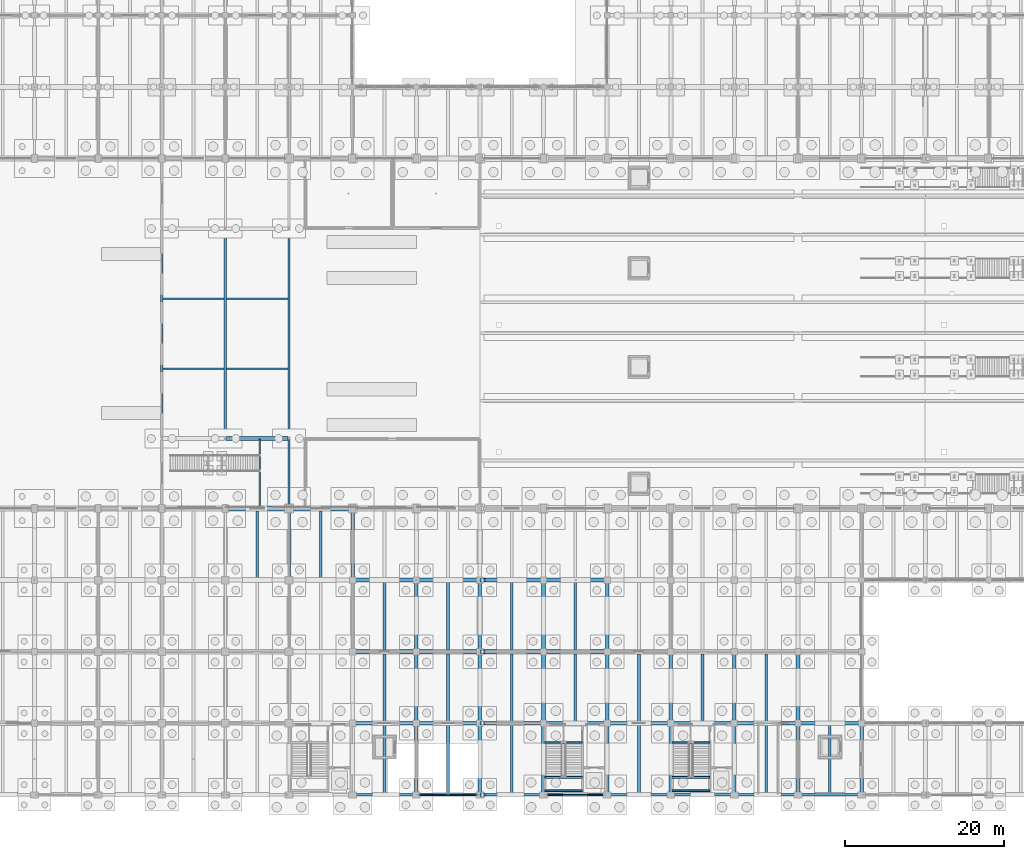
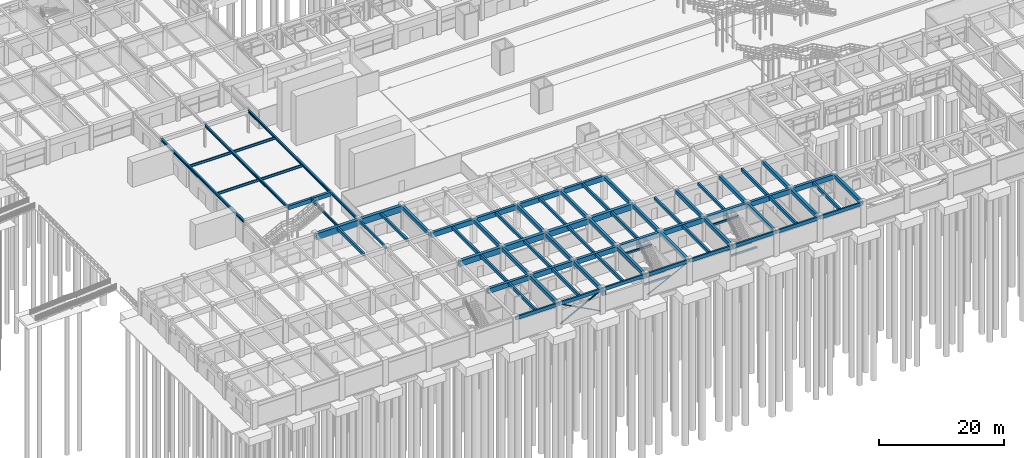
# One storey, part 32 of 147: 86 beams, 4 members.
"""IFC4 building model written with IfcOpenShell, lengths in metres."""

from ifc_helpers import new_model, si_unit, direction, frame, origin, origin_2d, place, context, subcontext, project, spatial, rectangle, hollow_rectangle, hollow_circle, i_section, extrude, material, material_profile, profile_set, type_object, element, save


model = new_model("IFC4")

# Units and contexts
model_context = context("Model", 3, precision=1e-05, world=origin(), true_north=direction((0.0, 1.0)))
body_context = subcontext(model_context, "Body", "Model", "MODEL_VIEW")
ifc_project = project(units=[si_unit("LENGTHUNIT", "METRE"), si_unit("AREAUNIT", "SQUARE_METRE"), si_unit("VOLUMEUNIT", "CUBIC_METRE"), si_unit("PLANEANGLEUNIT", "RADIAN"), si_unit("MASSUNIT", "GRAM", prefix="KILO")], contexts=[model_context])

# Site, building, storey
site_placement = place(None, origin())
site = spatial("IfcSite", under=ifc_project, at=site_placement, CompositionType="ELEMENT")
building_placement = place(site_placement, origin())
building = spatial("IfcBuilding", under=site, at=building_placement, Name="Varnabhumi Central Station", CompositionType="ELEMENT")
storey_placement = place(building_placement, origin())
storey = spatial("IfcBuildingStorey", under=building, at=storey_placement, Name="L00", CompositionType="ELEMENT", Elevation=0.0)

# Beams
ifc_material_1 = material(Name="Structural steel E350", Category="steel")
ifc_material_profile_1 = material_profile(ifc_material_1, i_section(OverallWidth=0.300048828125, OverallDepth=0.5, WebThickness=0.014404296875, FlangeThickness=0.028076171875, FilletRadius=0.027099609375, at=origin_2d()), Name="Structural steel E350", Category="steel")
ifc_profile_set_1 = profile_set([ifc_material_profile_1], Name="Structural steel E350")
beam_type_1 = type_object("IfcBeamType", Name="BM-GALL-WPB500", PredefinedType="BEAM", material=ifc_profile_set_1)
for number, where, z_axis, x_axis, name in (
    (1, (24.0, 44.85009765625, 4.330078125), (0.0, 1.0, 0.0), (-1.0, 0.0, 0.0), "Gallery Girder 4:44-71"),
    (2, (32.0, 44.85009765625, 4.330078125), (0.0, 1.0, 0.0), (-1.0, 0.0, 0.0), "Gallery Girder 5:44-71"),
    (3, (40.0, 44.85009765625, 4.330078125), (0.0, 1.0, 0.0), (-1.0, 0.0, 0.0), "Gallery Girder 6:44-71"),
):
    element("IfcBeam", number, at=place(storey_placement, frame(where, z_axis=z_axis, x_axis=x_axis)), inside=storey, type_object=beam_type_1, Name=name, PredefinedType="BEAM", context=body_context, shape_type="SweptSolid", body=[
        extrude(i_section(OverallWidth=0.300048828125, OverallDepth=0.5, WebThickness=0.014404296875, FlangeThickness=0.028076171875, FilletRadius=0.027099609375, at=origin_2d()), origin(), (0.0, 0.0, 1.0), 26.2998046875),
    ])
ifc_material_profile_2 = material_profile(ifc_material_1, i_section(OverallWidth=0.179931640625, OverallDepth=0.5, WebThickness=0.01025390625, FlangeThickness=0.01708984375, FilletRadius=0.01708984375, at=origin_2d()), Name="Structural steel E350", Category="steel")
ifc_profile_set_2 = profile_set([ifc_material_profile_2], Name="Structural steel E350")
beam_type_2 = type_object("IfcBeamType", Name="BM-JST-ISMB500", PredefinedType="JOIST", material=ifc_profile_set_2)
for number, where, z_axis, x_axis, name in (
    (4, (24.155029296875, 53.60009765625, 4.330078125), (1.0, 0.0, 0.0), (0.0, 1.0, 0.0), "Gallery Tie Beam G:4-5"),
    (5, (32.155029296875, 53.60009765625, 4.330078125), (1.0, 0.0, 0.0), (0.0, 1.0, 0.0), "Gallery Tie Beam G:5-6"),
    (6, (24.155029296875, 62.39990234375, 4.330078125), (1.0, 0.0, 0.0), (0.0, 1.0, 0.0), "Gallery Tie Beam H:4-5"),
    (7, (32.155029296875, 62.39990234375, 4.330078125), (1.0, 0.0, 0.0), (0.0, 1.0, 0.0), "Gallery Tie Beam H:5-6"),
):
    element("IfcBeam", number, at=place(storey_placement, frame(where, z_axis=z_axis, x_axis=x_axis)), inside=storey, type_object=beam_type_2, Name=name, PredefinedType="JOIST", context=body_context, shape_type="SweptSolid", body=[
        extrude(i_section(OverallWidth=0.179931640625, OverallDepth=0.5, WebThickness=0.01025390625, FlangeThickness=0.01708984375, FilletRadius=0.01708984375, at=origin_2d()), origin(), (0.0, 0.0, 1.0), 7.68994140625),
    ])
beam_1_placement = place(storey_placement, frame((36.300048828125, 36.10009765625, 4.330078125), z_axis=(0.0, 1.0, 0.0), x_axis=(-1.0, 0.0, 0.0)))
element("IfcBeam", 8, at=beam_1_placement, inside=storey, type_object=beam_type_2, Name="Mezzanine Stair Top Trimmer Beam", PredefinedType="JOIST", context=body_context, shape_type="SweptSolid", body=[
    extrude(i_section(OverallWidth=0.179931640625, OverallDepth=0.5, WebThickness=0.01025390625, FlangeThickness=0.01708984375, FilletRadius=0.01708984375, at=origin_2d()), origin(), (0.0, 0.0, 1.0), 8.64990234375),
])
ifc_material_2 = material(Name="Concrete M50", Category="concrete")
ifc_material_profile_3 = material_profile(ifc_material_2, rectangle(XDim=0.60009765625, YDim=1.199951171875, at=origin_2d()), Name="Concrete M50", Category="concrete")
ifc_profile_set_3 = profile_set([ifc_material_profile_3], Name="Concrete M50")
beam_type_3 = type_object("IfcBeamType", Name="BM-RC-1200x600", PredefinedType="BEAM", material=ifc_profile_set_3)
for number, where, z_axis, x_axis, name in (
    (9, (32.10009765625, 36.0, 3.949951171875), (1.0, 0.0, 0.0), (0.0, 1.0, 0.0), "Beam L00-E:5-6"),
    (10, (40.10009765625, 36.0, 3.949951171875), (1.0, 0.0, 0.0), (0.0, 1.0, 0.0), "Beam L00-E:6-7"),
):
    element("IfcBeam", number, at=place(storey_placement, frame(where, z_axis=z_axis, x_axis=x_axis)), inside=storey, type_object=beam_type_3, Name=name, PredefinedType="BEAM", context=body_context, shape_type="SweptSolid", body=[
        extrude(rectangle(XDim=0.60009765625, YDim=1.199951171875, at=origin_2d()), origin(), (0.0, 0.0, 1.0), 7.7998046875),
    ])
ifc_material_3 = material(Name="Concrete M35", Category="concrete")
ifc_material_profile_4 = material_profile(ifc_material_3, rectangle(XDim=0.25, YDim=0.35009765625, at=origin_2d()), Name="Concrete M35", Category="concrete")
ifc_profile_set_4 = profile_set([ifc_material_profile_4], Name="Concrete M35")
beam_type_4 = type_object("IfcBeamType", Name="BM-RC-250x350", PredefinedType="LINTEL", material=ifc_profile_set_4)
for number, where, z_axis, x_axis, name in (
    (11, (88.179931640625, 0.5400390625, 2.044921875), (1.0, 0.0, 0.0), (0.0, 1.0, 0.0), "ST-S2 L00 Half Landing Support Beam 1"),
    (12, (88.179931640625, 2.205078125, 2.044921875), (1.0, 0.0, 0.0), (0.0, 1.0, 0.0), "ST-S2 L00 Half Landing Support Beam 2"),
    (13, (88.179931640625, 6.580078125, 4.375), (1.0, 0.0, 0.0), (0.0, 1.0, 0.0), "ST-S2 L00 Floor Opening Trimmer Beam"),
    (14, (72.179931640625, 0.5400390625, 2.044921875), (1.0, 0.0, 0.0), (0.0, 1.0, 0.0), "ST-S4 L00 Half Landing Support Beam 1"),
    (15, (72.179931640625, 2.205078125, 2.044921875), (1.0, 0.0, 0.0), (0.0, 1.0, 0.0), "ST-S4 L00 Half Landing Support Beam 2"),
    (16, (72.179931640625, 6.580078125, 4.375), (1.0, 0.0, 0.0), (0.0, 1.0, 0.0), "ST-S4 L00 Floor Opening Trimmer Beam"),
):
    element("IfcBeam", number, at=place(storey_placement, frame(where, z_axis=z_axis, x_axis=x_axis)), inside=storey, type_object=beam_type_4, Name=name, PredefinedType="LINTEL", context=body_context, shape_type="SweptSolid", body=[
        extrude(rectangle(XDim=0.25, YDim=0.35009765625, at=origin_2d()), origin(), (0.0, 0.0, 1.0), 4.719970703125),
    ])
ifc_material_profile_5 = material_profile(ifc_material_3, rectangle(XDim=0.25, YDim=0.449951171875, at=origin_2d()), Name="Concrete M35", Category="concrete")
ifc_profile_set_5 = profile_set([ifc_material_profile_5], Name="Concrete M35")
beam_type_5 = type_object("IfcBeamType", Name="BM-RC-250x450", PredefinedType="LINTEL", material=ifc_profile_set_5)
beam_2_placement = place(storey_placement, frame((40.0, 27.10009765625, 4.324951171875), z_axis=(0.0, 1.0, 0.0), x_axis=(-1.0, 0.0, 0.0)))
element("IfcBeam", 17, at=beam_2_placement, inside=storey, type_object=beam_type_5, Name="Beam L00-6:D-E", PredefinedType="LINTEL", context=body_context, shape_type="SweptSolid", body=[
    extrude(rectangle(XDim=0.25, YDim=0.449951171875, at=origin_2d()), origin(), (0.0, 0.0, 1.0), 8.7998046875),
])
ifc_material_4 = material(Name="Concrete M40", Category="concrete")
ifc_material_profile_6 = material_profile(ifc_material_4, rectangle(XDim=0.300048828125, YDim=0.64990234375, at=origin_2d()), Name="Concrete M40", Category="concrete")
ifc_profile_set_6 = profile_set([ifc_material_profile_6], Name="Concrete M40")
beam_type_6 = type_object("IfcBeamType", Name="BM-RC-300x650", PredefinedType="SPANDREL", material=ifc_profile_set_6)
for number, where, z_axis, x_axis, name in (
    (18, (48.10009765625, 0.0, 4.22509765625), (1.0, 0.0, 0.0), (0.0, 1.0, 0.0), "Beam L00-A:7-8"),
    (19, (56.10009765625, 0.0, 4.22509765625), (1.0, 0.0, 0.0), (0.0, 1.0, 0.0), "Beam L00-A:8-9"),
    (20, (64.10009765625, 0.0, 4.22509765625), (1.0, 0.0, 0.0), (0.0, 1.0, 0.0), "Beam L00-A:9-10"),
    (21, (72.10009765625, 0.0, 4.22509765625), (1.0, 0.0, 0.0), (0.0, 1.0, 0.0), "Beam L00-A:10-11"),
    (22, (80.10009765625, 0.0, 4.22509765625), (1.0, 0.0, 0.0), (0.0, 1.0, 0.0), "Beam L00-A:11-12"),
    (23, (88.10009765625, 0.0, 4.22509765625), (1.0, 0.0, 0.0), (0.0, 1.0, 0.0), "Beam L00-A:12-13"),
    (24, (96.10009765625, 0.0, 4.22509765625), (1.0, 0.0, 0.0), (0.0, 1.0, 0.0), "Beam L00-A:13-14"),
    (25, (104.10009765625, 0.0, 4.22509765625), (1.0, 0.0, 0.0), (0.0, 1.0, 0.0), "Beam L00-A:14-15"),
):
    element("IfcBeam", number, at=place(storey_placement, frame(where, z_axis=z_axis, x_axis=x_axis)), inside=storey, type_object=beam_type_6, Name=name, PredefinedType="SPANDREL", context=body_context, shape_type="SweptSolid", body=[
        extrude(rectangle(XDim=0.300048828125, YDim=0.64990234375, at=origin_2d()), origin(), (0.0, 0.0, 1.0), 7.7998046875),
    ])
ifc_material_profile_7 = material_profile(ifc_material_4, rectangle(XDim=0.35009765625, YDim=0.5, at=origin_2d()), Name="Concrete M40", Category="concrete")
ifc_profile_set_7 = profile_set([ifc_material_profile_7], Name="Concrete M40")
beam_type_7 = type_object("IfcBeamType", Name="BM-RC-350x500", PredefinedType="JOIST", material=ifc_profile_set_7)
beam_3_placement = place(storey_placement, frame((68.0, 0.14990234375, 4.300048828125), z_axis=(0.0, 1.0, 0.0), x_axis=(-1.0, 0.0, 0.0)))
element("IfcBeam", 26, at=beam_3_placement, inside=storey, type_object=beam_type_7, Name="Secondary Joist L00-9/10:A-B", PredefinedType="JOIST", context=body_context, shape_type="SweptSolid", body=[
    extrude(rectangle(XDim=0.35009765625, YDim=0.5, at=origin_2d()), origin(), (0.0, 0.0, 1.0), 8.60009765625),
])
for number, where, z_axis, x_axis, name in (
    (27, (68.0, 9.25, 4.300048828125), (0.0, 1.0, 0.0), (-1.0, 0.0, 0.0), "Secondary Joist L00-9/10:B-C"),
    (28, (92.0, 9.25, 4.300048828125), (0.0, 1.0, 0.0), (-1.0, 0.0, 0.0), "Secondary Joist L00-12/13:B-C"),
    (29, (68.0, 18.300048828125, 4.300048828125), (0.0, 1.0, 0.0), (-1.0, 0.0, 0.0), "Secondary Joist L00-9/10:C-D"),
    (30, (44.0, 27.25, 4.300048828125), (0.0, 1.0, 0.0), (-1.0, 0.0, 0.0), "Secondary Joist L00-6/7:D-E"),
):
    element("IfcBeam", number, at=place(storey_placement, frame(where, z_axis=z_axis, x_axis=x_axis)), inside=storey, type_object=beam_type_7, Name=name, PredefinedType="JOIST", context=body_context, shape_type="SweptSolid", body=[
        extrude(rectangle(XDim=0.35009765625, YDim=0.5, at=origin_2d()), origin(), (0.0, 0.0, 1.0), 8.449951171875),
    ])
ifc_material_profile_8 = material_profile(ifc_material_4, rectangle(XDim=0.35009765625, YDim=0.550048828125, at=origin_2d()), Name="Concrete M40", Category="concrete")
ifc_profile_set_8 = profile_set([ifc_material_profile_8], Name="Concrete M40")
beam_type_8 = type_object("IfcBeamType", Name="BM-RC-350x550", PredefinedType="JOIST", material=ifc_profile_set_8)
for number, where, z_axis, x_axis, name in (
    (31, (60.0, 0.14990234375, 4.27490234375), (0.0, 1.0, 0.0), (-1.0, 0.0, 0.0), "Secondary Joist L00-8/9:A-B"),
    (32, (84.0, 0.14990234375, 4.27490234375), (0.0, 1.0, 0.0), (-1.0, 0.0, 0.0), "Secondary Joist L00-11/12:A-B"),
    (33, (108.0, 0.14990234375, 4.27490234375), (0.0, 1.0, 0.0), (-1.0, 0.0, 0.0), "Secondary Joist L00-14/15:A-B"),
):
    element("IfcBeam", number, at=place(storey_placement, frame(where, z_axis=z_axis, x_axis=x_axis)), inside=storey, type_object=beam_type_8, Name=name, PredefinedType="JOIST", context=body_context, shape_type="SweptSolid", body=[
        extrude(rectangle(XDim=0.35009765625, YDim=0.550048828125, at=origin_2d()), origin(), (0.0, 0.0, 1.0), 8.60009765625),
    ])
for number, where, z_axis, x_axis, name in (
    (34, (60.0, 9.25, 4.27490234375), (0.0, 1.0, 0.0), (-1.0, 0.0, 0.0), "Secondary Joist L00-8/9:B-C"),
    (35, (84.0, 9.25, 4.27490234375), (0.0, 1.0, 0.0), (-1.0, 0.0, 0.0), "Secondary Joist L00-11/12:B-C"),
    (36, (60.0, 18.300048828125, 4.27490234375), (0.0, 1.0, 0.0), (-1.0, 0.0, 0.0), "Secondary Joist L00-8/9:C-D"),
    (37, (36.0, 27.25, 4.27490234375), (0.0, 1.0, 0.0), (-1.0, 0.0, 0.0), "Secondary Joist L00-5/6:D-E"),
):
    element("IfcBeam", number, at=place(storey_placement, frame(where, z_axis=z_axis, x_axis=x_axis)), inside=storey, type_object=beam_type_8, Name=name, PredefinedType="JOIST", context=body_context, shape_type="SweptSolid", body=[
        extrude(rectangle(XDim=0.35009765625, YDim=0.550048828125, at=origin_2d()), origin(), (0.0, 0.0, 1.0), 8.449951171875),
    ])
ifc_material_profile_9 = material_profile(ifc_material_4, rectangle(XDim=0.449951171875, YDim=0.699951171875, at=origin_2d()), Name="Concrete M40", Category="concrete")
ifc_profile_set_9 = profile_set([ifc_material_profile_9], Name="Concrete M40")
beam_type_9 = type_object("IfcBeamType", Name="BM-RC-450x700", PredefinedType="BEAM", material=ifc_profile_set_9)
for number, where, z_axis, x_axis, name in (
    (38, (56.0, 0.10009765625, 4.199951171875), (0.0, 1.0, 0.0), (-1.0, 0.0, 0.0), "Beam L00-8:A-B"),
    (39, (64.0, 0.10009765625, 4.199951171875), (0.0, 1.0, 0.0), (-1.0, 0.0, 0.0), "Beam L00-9:A-B"),
    (40, (72.0, 0.10009765625, 4.199951171875), (0.0, 1.0, 0.0), (-1.0, 0.0, 0.0), "Beam L00-10:A-B"),
    (41, (80.0, 0.10009765625, 4.199951171875), (0.0, 1.0, 0.0), (-1.0, 0.0, 0.0), "Beam L00-11:A-B"),
    (42, (88.0, 0.10009765625, 4.199951171875), (0.0, 1.0, 0.0), (-1.0, 0.0, 0.0), "Beam L00-12:A-B"),
    (43, (96.0, 0.10009765625, 4.199951171875), (0.0, 1.0, 0.0), (-1.0, 0.0, 0.0), "Beam L00-13:A-B"),
    (44, (104.0, 0.10009765625, 4.199951171875), (0.0, 1.0, 0.0), (-1.0, 0.0, 0.0), "Beam L00-14:A-B"),
    (45, (112.0, 0.10009765625, 4.199951171875), (0.0, 1.0, 0.0), (-1.0, 0.0, 0.0), "Beam L00-15:A-B"),
    (46, (56.0, 9.10009765625, 4.199951171875), (0.0, 1.0, 0.0), (-1.0, 0.0, 0.0), "Beam L00-8:B-C"),
    (47, (64.0, 9.10009765625, 4.199951171875), (0.0, 1.0, 0.0), (-1.0, 0.0, 0.0), "Beam L00-9:B-C"),
    (48, (72.0, 9.10009765625, 4.199951171875), (0.0, 1.0, 0.0), (-1.0, 0.0, 0.0), "Beam L00-10:B-C"),
    (49, (80.0, 9.10009765625, 4.199951171875), (0.0, 1.0, 0.0), (-1.0, 0.0, 0.0), "Beam L00-11:B-C"),
    (50, (88.0, 9.10009765625, 4.199951171875), (0.0, 1.0, 0.0), (-1.0, 0.0, 0.0), "Beam L00-12:B-C"),
    (51, (96.0, 9.10009765625, 4.199951171875), (0.0, 1.0, 0.0), (-1.0, 0.0, 0.0), "Beam L00-13:B-C"),
    (52, (104.0, 9.10009765625, 4.199951171875), (0.0, 1.0, 0.0), (-1.0, 0.0, 0.0), "Beam L00-14:B-C"),
    (53, (56.0, 18.10009765625, 4.199951171875), (0.0, 1.0, 0.0), (-1.0, 0.0, 0.0), "Beam L00-8:C-D"),
    (54, (64.0, 18.10009765625, 4.199951171875), (0.0, 1.0, 0.0), (-1.0, 0.0, 0.0), "Beam L00-9:C-D"),
    (55, (72.0, 18.10009765625, 4.199951171875), (0.0, 1.0, 0.0), (-1.0, 0.0, 0.0), "Beam L00-10:C-D"),
    (56, (80.0, 18.10009765625, 4.199951171875), (0.0, 1.0, 0.0), (-1.0, 0.0, 0.0), "Beam L00-11:C-D"),
    (57, (48.0, 27.10009765625, 4.199951171875), (0.0, 1.0, 0.0), (-1.0, 0.0, 0.0), "Beam L00-7:D-E"),
):
    element("IfcBeam", number, at=place(storey_placement, frame(where, z_axis=z_axis, x_axis=x_axis)), inside=storey, type_object=beam_type_9, Name=name, PredefinedType="BEAM", context=body_context, shape_type="SweptSolid", body=[
        extrude(rectangle(XDim=0.449951171875, YDim=0.699951171875, at=origin_2d()), origin(), (0.0, 0.0, 1.0), 8.7998046875),
    ])
ifc_material_profile_10 = material_profile(ifc_material_4, rectangle(XDim=0.449951171875, YDim=0.75, at=origin_2d()), Name="Concrete M40", Category="concrete")
ifc_profile_set_10 = profile_set([ifc_material_profile_10], Name="Concrete M40")
beam_type_10 = type_object("IfcBeamType", Name="BM-RC-450x750", PredefinedType="BEAM", material=ifc_profile_set_10)
beam_4_placement = place(storey_placement, frame((32.10009765625, 44.800048828125, 4.205078125), z_axis=(1.0, 0.0, 0.0), x_axis=(0.0, 1.0, 0.0)))
element("IfcBeam", 58, at=beam_4_placement, inside=storey, type_object=beam_type_10, Name="Beam L00-F:5-6", PredefinedType="BEAM", context=body_context, shape_type="SweptSolid", body=[
    extrude(rectangle(XDim=0.449951171875, YDim=0.75, at=origin_2d()), origin(), (0.0, 0.0, 1.0), 7.7998046875),
])
for number, where, z_axis, x_axis, name in (
    (59, (64.0, 0.0, 3.445068359375), (1.0, 0.0, 0.0), (0.0, 1.0, 0.0), "Movement Joint 650mm Corbel Seat L00-A-9"),
    (60, (64.0, 9.0, 3.14501953125), (1.0, 0.0, 0.0), (0.0, 1.0, 0.0), "Movement Joint 650mm Corbel Seat L00-B-9"),
    (61, (64.0, 18.0, 2.9951171875), (1.0, 0.0, 0.0), (0.0, 1.0, 0.0), "Movement Joint 650mm Corbel Seat L00-C-9"),
    (62, (64.0, 27.0, 3.14501953125), (1.0, 0.0, 0.0), (0.0, 1.0, 0.0), "Movement Joint 650mm Corbel Seat L00-D-9"),
):
    element("IfcBeam", number, at=place(storey_placement, frame(where, z_axis=z_axis, x_axis=x_axis)), inside=storey, type_object=beam_type_10, Name=name, PredefinedType="BEAM", context=body_context, shape_type="SweptSolid", body=[
        extrude(rectangle(XDim=0.449951171875, YDim=0.75, at=origin_2d()), origin(), (0.0, 0.0, 1.0), 0.64990234375),
    ])
ifc_material_profile_11 = material_profile(ifc_material_4, rectangle(XDim=0.5, YDim=0.949951171875, at=origin_2d()), Name="Concrete M40", Category="concrete")
ifc_profile_set_11 = profile_set([ifc_material_profile_11], Name="Concrete M40")
beam_type_11 = type_object("IfcBeamType", Name="BM-RC-500x950", PredefinedType="BEAM", material=ifc_profile_set_11)
for number, where, z_axis, x_axis, name in (
    (63, (48.10009765625, 9.0, 4.074951171875), (1.0, 0.0, 0.0), (0.0, 1.0, 0.0), "Beam L00-B:7-8"),
    (64, (48.10009765625, 27.0, 4.074951171875), (1.0, 0.0, 0.0), (0.0, 1.0, 0.0), "Beam L00-D:7-8"),
    (65, (56.10009765625, 9.0, 4.074951171875), (1.0, 0.0, 0.0), (0.0, 1.0, 0.0), "Beam L00-B:8-9"),
    (66, (56.10009765625, 27.0, 4.074951171875), (1.0, 0.0, 0.0), (0.0, 1.0, 0.0), "Beam L00-D:8-9"),
    (67, (64.10009765625, 9.0, 4.074951171875), (1.0, 0.0, 0.0), (0.0, 1.0, 0.0), "Beam L00-B:9-10"),
    (68, (64.10009765625, 27.0, 4.074951171875), (1.0, 0.0, 0.0), (0.0, 1.0, 0.0), "Beam L00-D:9-10"),
    (69, (72.10009765625, 9.0, 4.074951171875), (1.0, 0.0, 0.0), (0.0, 1.0, 0.0), "Beam L00-B:10-11"),
    (70, (72.10009765625, 27.0, 4.074951171875), (1.0, 0.0, 0.0), (0.0, 1.0, 0.0), "Beam L00-D:10-11"),
    (71, (80.10009765625, 9.0, 4.074951171875), (1.0, 0.0, 0.0), (0.0, 1.0, 0.0), "Beam L00-B:11-12"),
    (72, (88.10009765625, 9.0, 4.074951171875), (1.0, 0.0, 0.0), (0.0, 1.0, 0.0), "Beam L00-B:12-13"),
    (73, (96.10009765625, 9.0, 4.074951171875), (1.0, 0.0, 0.0), (0.0, 1.0, 0.0), "Beam L00-B:13-14"),
    (74, (104.10009765625, 9.0, 4.074951171875), (1.0, 0.0, 0.0), (0.0, 1.0, 0.0), "Beam L00-B:14-15"),
):
    element("IfcBeam", number, at=place(storey_placement, frame(where, z_axis=z_axis, x_axis=x_axis)), inside=storey, type_object=beam_type_11, Name=name, PredefinedType="BEAM", context=body_context, shape_type="SweptSolid", body=[
        extrude(rectangle(XDim=0.5, YDim=0.949951171875, at=origin_2d()), origin(), (0.0, 0.0, 1.0), 7.7998046875),
    ])
ifc_material_profile_12 = material_profile(ifc_material_2, rectangle(XDim=0.60009765625, YDim=1.10009765625, at=origin_2d()), Name="Concrete M50", Category="concrete")
ifc_profile_set_12 = profile_set([ifc_material_profile_12], Name="Concrete M50")
beam_type_12 = type_object("IfcBeamType", Name="BM-RC-600x1100", PredefinedType="BEAM", material=ifc_profile_set_12)
for number, where, z_axis, x_axis, name in (
    (75, (48.10009765625, 18.0, 4.0), (1.0, 0.0, 0.0), (0.0, 1.0, 0.0), "Beam L00-C:7-8"),
    (76, (56.10009765625, 18.0, 4.0), (1.0, 0.0, 0.0), (0.0, 1.0, 0.0), "Beam L00-C:8-9"),
    (77, (64.10009765625, 18.0, 4.0), (1.0, 0.0, 0.0), (0.0, 1.0, 0.0), "Beam L00-C:9-10"),
    (78, (72.10009765625, 18.0, 4.0), (1.0, 0.0, 0.0), (0.0, 1.0, 0.0), "Beam L00-C:10-11"),
):
    element("IfcBeam", number, at=place(storey_placement, frame(where, z_axis=z_axis, x_axis=x_axis)), inside=storey, type_object=beam_type_12, Name=name, PredefinedType="BEAM", context=body_context, shape_type="SweptSolid", body=[
        extrude(rectangle(XDim=0.60009765625, YDim=1.10009765625, at=origin_2d()), origin(), (0.0, 0.0, 1.0), 7.7998046875),
    ])
ifc_material_profile_13 = material_profile(ifc_material_4, rectangle(XDim=0.35009765625, YDim=0.60009765625, at=origin_2d()), Name="Concrete M40", Category="concrete")
ifc_profile_set_13 = profile_set([ifc_material_profile_13], Name="Concrete M40")
beam_type_13 = type_object("IfcBeamType", Name="BM-RC-600x350", PredefinedType="JOIST", material=ifc_profile_set_13)
for number, where, z_axis, x_axis, name in (
    (79, (52.0, 0.14990234375, 4.25), (0.0, 1.0, 0.0), (-1.0, 0.0, 0.0), "Secondary Joist L00-7/8:A-B"),
    (80, (100.0, 0.14990234375, 4.25), (0.0, 1.0, 0.0), (-1.0, 0.0, 0.0), "Secondary Joist L00-13/14:A-B"),
):
    element("IfcBeam", number, at=place(storey_placement, frame(where, z_axis=z_axis, x_axis=x_axis)), inside=storey, type_object=beam_type_13, Name=name, PredefinedType="JOIST", context=body_context, shape_type="SweptSolid", body=[
        extrude(rectangle(XDim=0.35009765625, YDim=0.60009765625, at=origin_2d()), origin(), (0.0, 0.0, 1.0), 8.60009765625),
    ])
for number, where, z_axis, x_axis, name in (
    (81, (52.0, 9.25, 4.25), (0.0, 1.0, 0.0), (-1.0, 0.0, 0.0), "Secondary Joist L00-7/8:B-C"),
    (82, (76.0, 9.25, 4.25), (0.0, 1.0, 0.0), (-1.0, 0.0, 0.0), "Secondary Joist L00-10/11:B-C"),
    (83, (100.0, 9.25, 4.25), (0.0, 1.0, 0.0), (-1.0, 0.0, 0.0), "Secondary Joist L00-13/14:B-C"),
    (84, (52.0, 18.300048828125, 4.25), (0.0, 1.0, 0.0), (-1.0, 0.0, 0.0), "Secondary Joist L00-7/8:C-D"),
    (85, (76.0, 18.300048828125, 4.25), (0.0, 1.0, 0.0), (-1.0, 0.0, 0.0), "Secondary Joist L00-10/11:C-D"),
):
    element("IfcBeam", number, at=place(storey_placement, frame(where, z_axis=z_axis, x_axis=x_axis)), inside=storey, type_object=beam_type_13, Name=name, PredefinedType="JOIST", context=body_context, shape_type="SweptSolid", body=[
        extrude(rectangle(XDim=0.35009765625, YDim=0.60009765625, at=origin_2d()), origin(), (0.0, 0.0, 1.0), 8.449951171875),
    ])
ifc_material_profile_14 = material_profile(ifc_material_1, i_section(OverallWidth=0.25, OverallDepth=0.5, WebThickness=0.010009765625, FlangeThickness=0.0146484375, FilletRadius=0.014892578125, at=origin_2d()), Name="Structural steel E350", Category="steel")
ifc_profile_set_14 = profile_set([ifc_material_profile_14], Name="Structural steel E350")
beam_type_14 = type_object("IfcBeamType", Name="BM-SEC-ISWB500", PredefinedType="BEAM", material=ifc_profile_set_14)
beam_5_placement = place(storey_placement, frame((40.0, 36.050048828125, 4.330078125), z_axis=(0.0, 1.0, 0.0), x_axis=(-1.0, 0.0, 0.0)))
element("IfcBeam", 86, at=beam_5_placement, inside=storey, type_object=beam_type_14, Name="Gallery Girder 6:36-44", PredefinedType="BEAM", context=body_context, shape_type="SweptSolid", body=[
    extrude(i_section(OverallWidth=0.25, OverallDepth=0.5, WebThickness=0.010009765625, FlangeThickness=0.0146484375, FilletRadius=0.014892578125, at=origin_2d()), origin(), (0.0, 0.0, 1.0), 8.699951171875),
])

# Members
ifc_material_profile_15 = material_profile(ifc_material_1, hollow_circle(Radius=0.109619140625, WallThickness=0.010009765625, at=origin_2d()), Name="Structural steel E350", Category="steel")
ifc_profile_set_15 = profile_set([ifc_material_profile_15], Name="Structural steel E350")
member_type_1 = type_object("IfcMemberType", Name="MBR-BRACE-CHS219", PredefinedType="BRACE", material=ifc_profile_set_15)
for number, where, z_axis, x_axis, name in (
    (87, (56.320068359375, 0.0, 4.10009765625), (0.883593583311, 0.0, -0.468254609729), (0.0, 1.0, 0.0), "Spine Lateral Split Brace L00-A:8-9B1"),
    (88, (60.141357421875, 0.0, 2.0751953125), (0.883593583311, 0.0, -0.468254609729), (0.0, 1.0, 0.0), "Spine Lateral Split Brace L00-A:8-9B2"),
):
    element("IfcMember", number, at=place(storey_placement, frame(where, z_axis=z_axis, x_axis=x_axis)), inside=storey, type_object=member_type_1, Name=name, PredefinedType="BRACE", context=body_context, shape_type="SweptSolid", body=[
        extrude(hollow_circle(Radius=0.109619140625, WallThickness=0.010009765625, at=origin_2d()), origin(), (0.0, 0.0, 1.0), 4.004638671875),
    ])
ifc_material_profile_16 = material_profile(ifc_material_1, hollow_circle(Radius=0.136474609375, WallThickness=0.011962890625, at=origin_2d()), Name="Structural steel E350", Category="steel")
ifc_profile_set_16 = profile_set([ifc_material_profile_16], Name="Structural steel E350")
member_type_2 = type_object("IfcMemberType", Name="MBR-BRACE-CHS273", PredefinedType="BRACE", material=ifc_profile_set_16)
member_1_placement = place(storey_placement, frame((56.320068359375, 0.0, 0.199951171875), z_axis=(0.88360176282, 0.0, 0.468239174718), x_axis=(0.0, 1.0, 0.0)))
element("IfcMember", 89, at=member_1_placement, inside=storey, type_object=member_type_2, Name="Spine Lateral Continuous Brace L00-A:8-9A", PredefinedType="BRACE", context=body_context, shape_type="SweptSolid", body=[
    extrude(hollow_circle(Radius=0.136474609375, WallThickness=0.011962890625, at=origin_2d()), origin(), (0.0, 0.0, 1.0), 8.329345703125),
])
ifc_material_profile_17 = material_profile(ifc_material_1, hollow_rectangle(XDim=0.10009765625, YDim=0.199951171875, WallThickness=0.008056640625, InnerFilletRadius=0.008056640625, OuterFilletRadius=0.01611328125, at=origin_2d()), Name="Structural steel E350", Category="steel")
ifc_profile_set_17 = profile_set([ifc_material_profile_17], Name="Structural steel E350")
member_type_3 = type_object("IfcMemberType", Name="MBR-PURL-RHS200", PredefinedType="PURLIN", material=ifc_profile_set_17)
member_2_placement = place(storey_placement, frame((72.320068359375, 0.0, 0.25), z_axis=(0.895884545566, 0.0, 0.444286935455), x_axis=(0.0, 1.0, 0.0)))
element("IfcMember", 90, at=member_2_placement, inside=storey, type_object=member_type_3, Name="Lateral Frame Brace WB-10", PredefinedType="PURLIN", context=body_context, shape_type="SweptSolid", body=[
    extrude(hollow_rectangle(XDim=0.10009765625, YDim=0.199951171875, WallThickness=0.008056640625, InnerFilletRadius=0.008056640625, OuterFilletRadius=0.01611328125, at=origin_2d()), origin(), (0.0, 0.0, 1.0), 8.215087890625),
])

save(model, "model.ifc")
